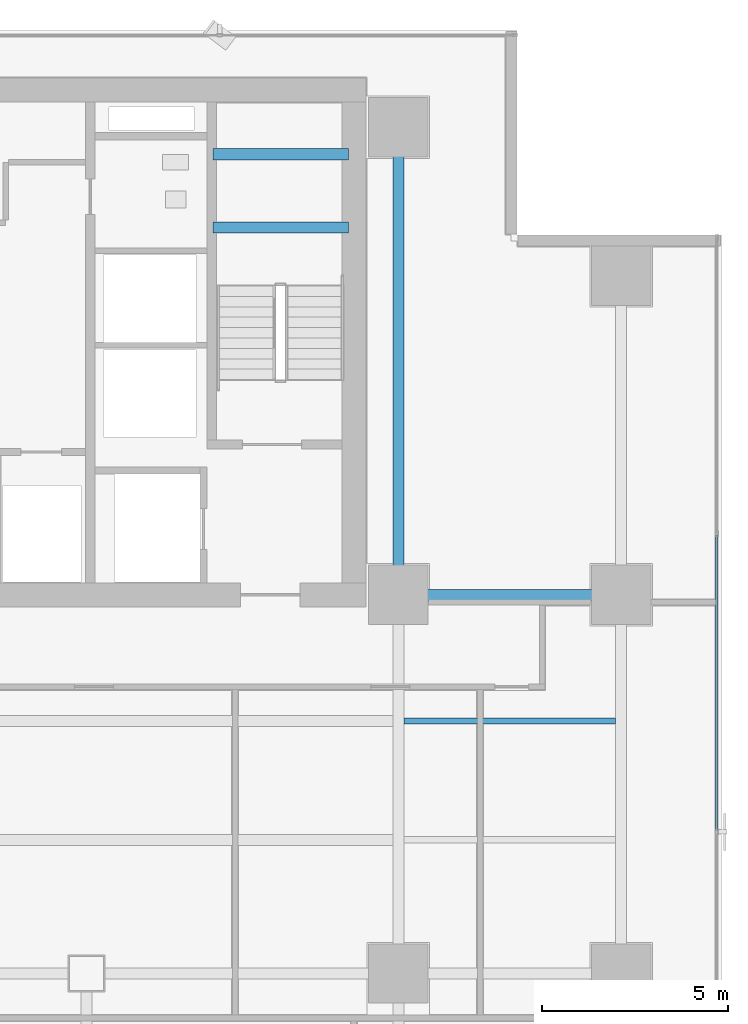
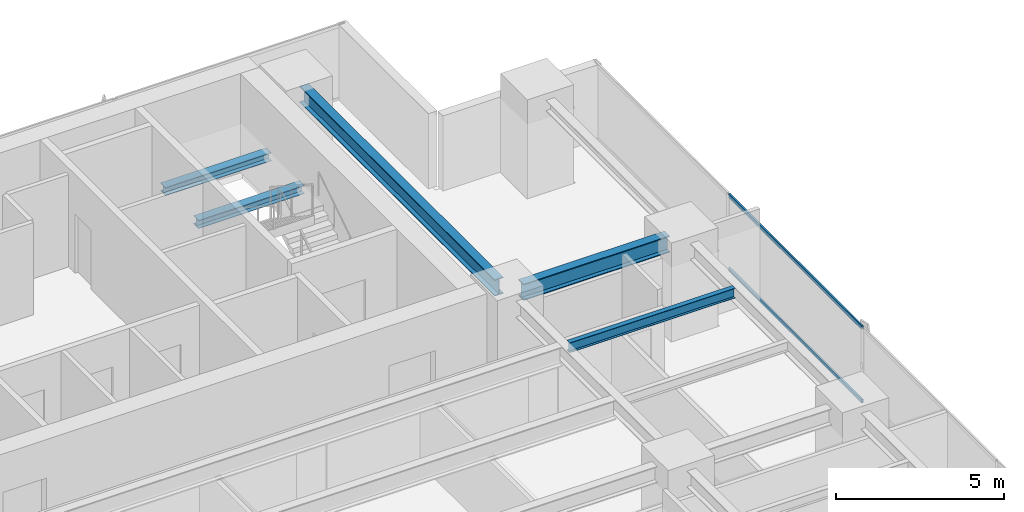
# One storey, part 22 of 34: 5 beams, 2 members, 1 element without a shape of its own.
"""IFC4 building model written with IfcOpenShell, lengths in metres."""

from ifc_helpers import new_model, si_unit, direction, frame, origin, origin_2d, place, context, subcontext, project, spatial, hollow_rectangle, i_section, extrude, source, transform, mapped, material, layer, layer_set, material_profile, profile_set, type_object, element, aggregate, save


model = new_model("IFC4")

# Units and contexts
model_context = context("Model", 3, precision=1e-05, world=origin(), true_north=direction((0.0, 1.0)))
body_context = subcontext(model_context, "Body", "Model", "MODEL_VIEW")
ifc_project = project(units=[si_unit("LENGTHUNIT", "METRE"), si_unit("AREAUNIT", "SQUARE_METRE"), si_unit("VOLUMEUNIT", "CUBIC_METRE"), si_unit("PLANEANGLEUNIT", "RADIAN"), si_unit("MASSUNIT", "GRAM", prefix="KILO")], contexts=[model_context])

# Site, building, storey
site_placement = place(None, origin())
site = spatial("IfcSite", under=ifc_project, at=site_placement, CompositionType="ELEMENT")
building_placement = place(site_placement, origin())
building = spatial("IfcBuilding", under=site, at=building_placement, Name="Sumidabori Civic Tower", CompositionType="ELEMENT")
storey_placement = place(building_placement, frame((0.0, 0.0, 99.199951171875)))
storey = spatial("IfcBuildingStorey", under=building, at=storey_placement, Name="L25", CompositionType="ELEMENT", Elevation=99.199951171875)

# Beams
ifc_material_1 = material(Name="Steel SN490", Category="steel")
ifc_material_profile_1 = material_profile(ifc_material_1, i_section(OverallWidth=0.300048828125, OverallDepth=0.300048828125, WebThickness=0.010986328125, FlangeThickness=0.01904296875, at=origin_2d()), Name="HE 300 B")
ifc_profile_set_1 = profile_set([ifc_material_profile_1], Name="Steel SN490")
beam_type_1 = type_object("IfcBeamType", Name="BM-LDG-300", PredefinedType="BEAM", material=ifc_profile_set_1)
shared_shape_1 = source(origin(), body_context, "Body", "SweptSolid", [
    extrude(i_section(OverallWidth=0.300048828125, OverallDepth=0.300048828125, WebThickness=0.010986328125, FlangeThickness=0.01904296875, at=origin_2d()), origin(), (0.0, 0.0, 1.0), 3.64990234375),
])
for number, where, z_axis, x_axis, name in (
    (1, (11.800048828125, 20.09765625, 1.449951171875), (1.0, 0.0, 0.0), (0.0, 1.0, 0.0), "Stair ST-2 Landing Support Beam L25-1A"),
    (2, (11.800048828125, 22.069580078125, 1.449951171875), (1.0, 0.0, 0.0), (0.0, 1.0, 0.0), "Stair ST-2 Landing Trimmer Beam L25-1B"),
):
    element("IfcBeam", number, at=place(storey_placement, frame(where, z_axis=z_axis, x_axis=x_axis)), inside=storey, type_object=beam_type_1, Name=name, PredefinedType="BEAM", context=body_context, shape_type="MappedRepresentation", body=[
        mapped(shared_shape_1, transform((0.0, 0.0, 0.0), x_axis=(1.0, 0.0, 0.0), y_axis=(0.0, 1.0, 0.0), z_axis=(0.0, 0.0, 1.0), scale=1.0)),
    ])
ifc_material_profile_2 = material_profile(ifc_material_1, i_section(OverallWidth=0.300048828125, OverallDepth=0.60009765625, WebThickness=0.015380859375, FlangeThickness=0.030029296875, at=origin_2d()), Name="HE 600 B")
ifc_profile_set_2 = profile_set([ifc_material_profile_2], Name="Steel SN490")
beam_type_2 = type_object("IfcBeamType", Name="BM-GIRD-600", PredefinedType="BEAM", material=ifc_profile_set_2)
shared_shape_2 = source(origin(), body_context, "Body", "SweptSolid", [
    extrude(i_section(OverallWidth=0.300048828125, OverallDepth=0.60009765625, WebThickness=0.015380859375, FlangeThickness=0.030029296875, at=origin_2d()), origin(), (0.0, 0.0, 1.0), 5.0400390625),
])
beam_1_placement = place(storey_placement, frame((17.280029296875, 10.199951171875, 3.06005859375), z_axis=(1.0, 0.0, 0.0), x_axis=(0.0, 1.0, 0.0)))
element("IfcBeam", 3, at=beam_1_placement, inside=storey, type_object=beam_type_2, Name="Primary Girder L25 GX-20", PredefinedType="BEAM", context=body_context, shape_type="MappedRepresentation", body=[
    mapped(shared_shape_2, transform((0.0, 0.0, 0.0), x_axis=(1.0, 0.0, 0.0), y_axis=(0.0, 1.0, 0.0), z_axis=(0.0, 0.0, 1.0), scale=1.0)),
])
shared_shape_3 = source(origin(), body_context, "Body", "SweptSolid", [
    extrude(i_section(OverallWidth=0.300048828125, OverallDepth=0.60009765625, WebThickness=0.015380859375, FlangeThickness=0.030029296875, at=origin_2d()), origin(), (0.0, 0.0, 1.0), 11.64013671875),
])
beam_2_placement = place(storey_placement, frame((16.800048828125, 10.679931640625, 3.06005859375), z_axis=(0.0, 1.0, 0.0), x_axis=(-1.0, 0.0, 0.0)))
element("IfcBeam", 4, at=beam_2_placement, inside=storey, type_object=beam_type_2, Name="Primary Girder L25 GY-38", PredefinedType="BEAM", context=body_context, shape_type="MappedRepresentation", body=[
    mapped(shared_shape_3, transform((0.0, 0.0, 0.0), x_axis=(1.0, 0.0, 0.0), y_axis=(0.0, 1.0, 0.0), z_axis=(0.0, 0.0, 1.0), scale=1.0)),
])
ifc_material_profile_3 = material_profile(ifc_material_1, i_section(OverallWidth=0.169921875, OverallDepth=0.360107421875, WebThickness=0.008056640625, FlangeThickness=0.0126953125, at=origin_2d()), Name="IPE 360")
ifc_profile_set_3 = profile_set([ifc_material_profile_3], Name="Steel SN490")
beam_type_3 = type_object("IfcBeamType", Name="BM-JST-360", PredefinedType="JOIST", material=ifc_profile_set_3)
shared_shape_4 = source(origin(), body_context, "Body", "SweptSolid", [
    extrude(i_section(OverallWidth=0.169921875, OverallDepth=0.360107421875, WebThickness=0.008056640625, FlangeThickness=0.0126953125, at=origin_2d()), origin(), (0.0, 0.0, 1.0), 5.699951171875),
])
beam_3_placement = place(storey_placement, frame((16.949951171875, 6.800048828125, 3.179931640625), z_axis=(1.0, 0.0, 0.0), x_axis=(0.0, 1.0, 0.0)))
element("IfcBeam", 5, at=beam_3_placement, inside=storey, type_object=beam_type_3, Name="Outer Bay Floor Joist L25 JSTO-50", PredefinedType="JOIST", context=body_context, shape_type="MappedRepresentation", body=[
    mapped(shared_shape_4, transform((0.0, 0.0, 0.0), x_axis=(1.0, 0.0, 0.0), y_axis=(0.0, 1.0, 0.0), z_axis=(0.0, 0.0, 1.0), scale=1.0)),
])

# Curtain wall, members
ifc_material_2 = material(Name="Anodised Bronze Aluminium AW-6063-T6", Category="aluminium")
ifc_layer = layer(ifc_material_2, 0.179931640625, Name="Anodised Bronze Aluminium AW-6063-T6")
ifc_layer_set = layer_set([ifc_layer], Name="Anodised Bronze Aluminium AW-6063-T6")
curtain_wall_type = type_object("IfcCurtainWallType", Name="CW-SYS-3", PredefinedType="NOTDEFINED", material=ifc_layer_set)
curtain_wall_placement = place(storey_placement, origin())
curtain_wall = element("IfcCurtainWall", 6, at=curtain_wall_placement, inside=storey, type_object=curtain_wall_type, Name="Curtain Wall CW:L25:R04", PredefinedType="NOTDEFINED")
ifc_material_profile_4 = material_profile(ifc_material_2, hollow_rectangle(XDim=0.06005859375, YDim=0.1298828125, WallThickness=0.0048828125, at=origin_2d()), Name="ALU TRANSOM 130x60")
ifc_profile_set_4 = profile_set([ifc_material_profile_4], Name="Anodised Bronze Aluminium AW-6063-T6")
member_type = type_object("IfcMemberType", Name="CW-TRN-130", PredefinedType="USERDEFINED", material=ifc_profile_set_4)
shared_shape_5 = source(origin(), body_context, "Body", "SweptSolid", [
    extrude(hollow_rectangle(XDim=0.06005859375, YDim=0.1298828125, WallThickness=0.0048828125, at=origin_2d()), origin(), (0.0, 0.0, 1.0), 7.963134765625),
])
member_1_placement = place(storey_placement, frame((25.3798828125, 3.846435546875, 0.030029296875), z_axis=(0.0, 1.0, 0.0), x_axis=(-1.0, 0.0, 0.0)))
member_1 = element("IfcMember", 7, at=member_1_placement, type_object=member_type, Name="CW-3 transom 4.1", ObjectType="TRANSOM", PredefinedType="USERDEFINED", context=body_context, shape_type="MappedRepresentation", body=[
    mapped(shared_shape_5, transform((0.0, 0.0, 0.0), x_axis=(1.0, 0.0, 0.0), y_axis=(0.0, 1.0, 0.0), z_axis=(0.0, 0.0, 1.0), scale=1.0)),
])
member_2_placement = place(storey_placement, frame((25.3798828125, 3.846435546875, 2.7099609375), z_axis=(0.0, 1.0, 0.0), x_axis=(-1.0, 0.0, 0.0)))
member_2 = element("IfcMember", 8, at=member_2_placement, type_object=member_type, Name="CW-3 transom 4.2", ObjectType="TRANSOM", PredefinedType="USERDEFINED", context=body_context, shape_type="MappedRepresentation", body=[
    mapped(shared_shape_5, transform((0.0, 0.0, 0.0), x_axis=(1.0, 0.0, 0.0), y_axis=(0.0, 1.0, 0.0), z_axis=(0.0, 0.0, 1.0), scale=1.0)),
])
aggregate(curtain_wall, [member_1, member_2])

save(model, "model.ifc")
